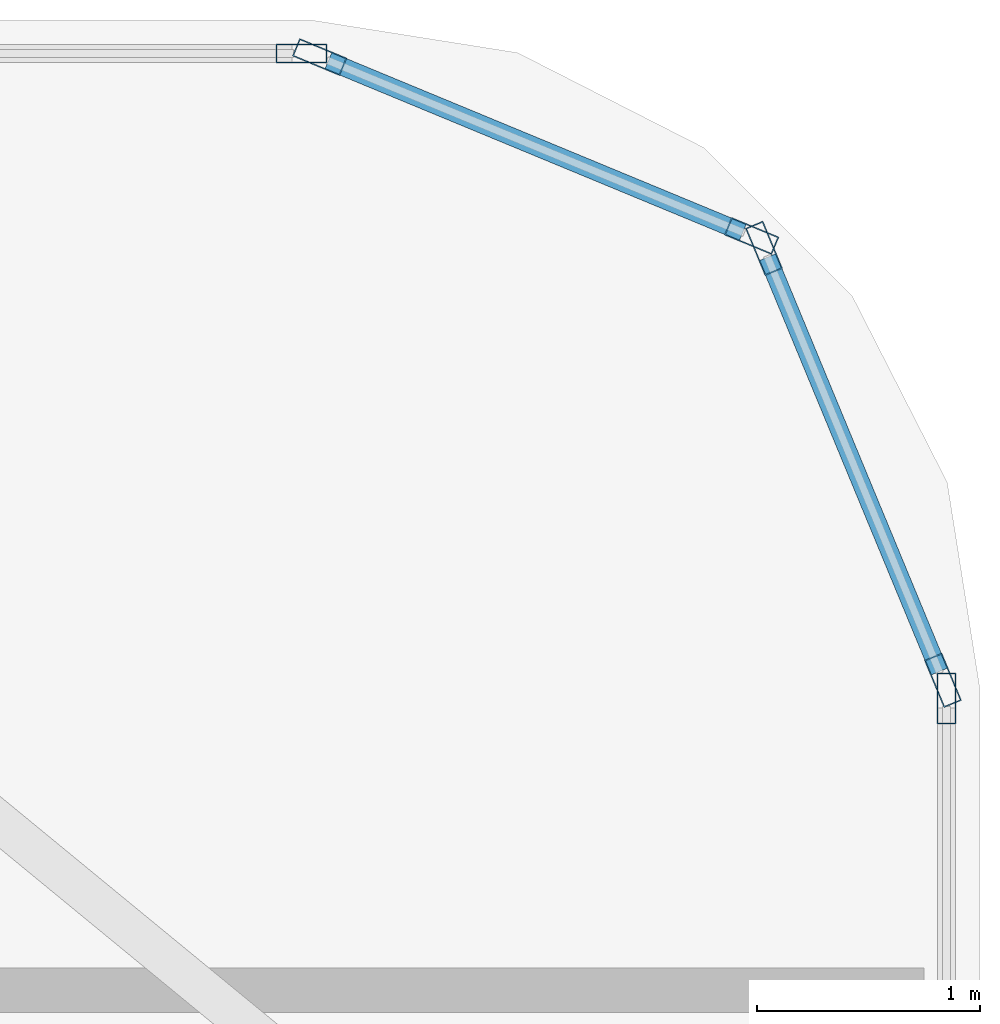
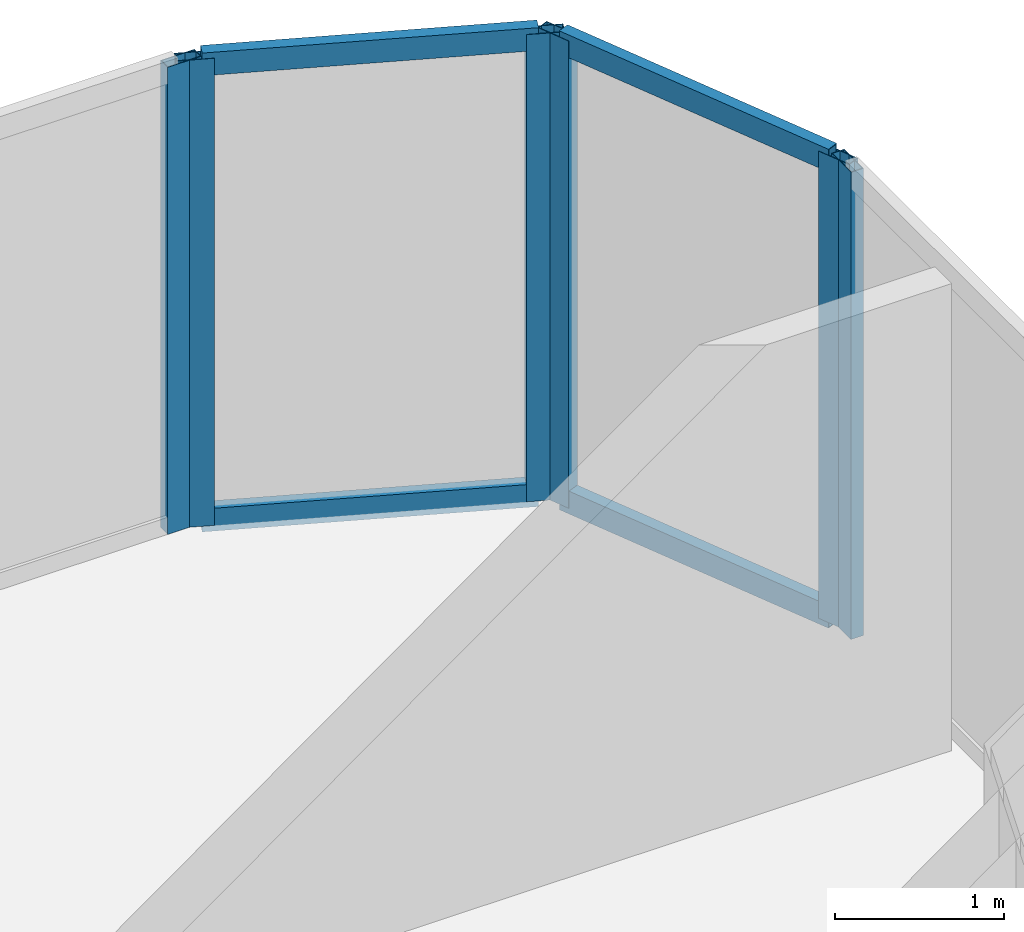
# One storey, part 8 of 11: 10 members, 4 elements without a shape of their own.
"""IFC4 building model written with IfcOpenShell, lengths in metres."""

from ifc_helpers import new_model, si_unit, direction, frame, origin, origin_2d, place, context, subcontext, project, spatial, hollow_rectangle, extrude, source, transform, mapped, material, layer, layer_set, material_profile, profile_set, type_object, element, aggregate, save


model = new_model("IFC4")

# Units and contexts
model_context = context("Model", 3, precision=1e-05, world=origin(), true_north=direction((0.0, 1.0)))
body_context = subcontext(model_context, "Body", "Model", "MODEL_VIEW")
ifc_project = project(units=[si_unit("LENGTHUNIT", "METRE"), si_unit("AREAUNIT", "SQUARE_METRE"), si_unit("VOLUMEUNIT", "CUBIC_METRE"), si_unit("PLANEANGLEUNIT", "RADIAN"), si_unit("MASSUNIT", "GRAM", prefix="KILO")], contexts=[model_context])

# Site, building, storey
site_placement = place(None, origin())
site = spatial("IfcSite", under=ifc_project, at=site_placement, CompositionType="ELEMENT")
building_placement = place(site_placement, origin())
building = spatial("IfcBuilding", under=site, at=building_placement, Name="Kolveth Station Tower", CompositionType="ELEMENT")
storey_placement = place(building_placement, frame((0.0, 0.0, 274.89990234375)))
storey = spatial("IfcBuildingStorey", under=building, at=storey_placement, Name="L79", CompositionType="ELEMENT", Elevation=274.89990234375)

# Curtain wall, members
ifc_material_1 = material(Name="Black anodized aluminium 6063-T6 and dark crown glass", Category="aluminium")
ifc_layer = layer(ifc_material_1, 0.169921875)
ifc_layer_set = layer_set([ifc_layer], Name="Black anodized aluminium 6063-T6 and dark crown glass")
curtain_wall_type = type_object("IfcCurtainWallType", Name="CurtainWall_CW-CR", PredefinedType="NOTDEFINED", material=ifc_layer_set)
curtain_wall_1_placement = place(storey_placement, origin())
curtain_wall_1 = element("IfcCurtainWall", 1, at=curtain_wall_1_placement, inside=storey, type_object=curtain_wall_type, Name="L79 Stepped Crown Curtain Wall 4", PredefinedType="NOTDEFINED")
ifc_material_2 = material(Name="Black anodized aluminium 6063-T6", Category="aluminium")
ifc_material_profile_1 = material_profile(ifc_material_2, hollow_rectangle(XDim=0.080078125, YDim=0.1650390625, WallThickness=0.0048828125, at=origin_2d()), Name="ALU-80x165x5")
ifc_profile_set_1 = profile_set([ifc_material_profile_1], Name="Black anodized aluminium 6063-T6")
member_type_1 = type_object("IfcMemberType", Name="Transom_TR-CR", PredefinedType="USERDEFINED", material=ifc_profile_set_1)
shared_shape_1 = source(origin(), body_context, "Body", "SweptSolid", [
    extrude(hollow_rectangle(XDim=0.080078125, YDim=0.1650390625, WallThickness=0.0048828125, at=origin_2d()), origin(), (0.0, 0.0, 1.0), 2.011474609375),
])
member_1_placement = place(storey_placement, frame((41.617431640625, 32.37841796875, 0.0400390625), z_axis=(-0.382580487431, 0.92392216698, 0.0), x_axis=(-0.92392216698, -0.382580487431, 0.0)))
member_1 = element("IfcMember", 2, at=member_1_placement, type_object=member_type_1, Name="CW-CR transom 1.1", ObjectType="TRANSOM", PredefinedType="USERDEFINED", context=body_context, shape_type="MappedRepresentation", body=[
    mapped(shared_shape_1, transform((0.0, 0.0, 0.0), x_axis=(1.0, 0.0, 0.0), y_axis=(0.0, 1.0, 0.0), z_axis=(0.0, 0.0, 1.0), scale=1.0)),
])
member_2_placement = place(storey_placement, frame((41.617431640625, 32.37841796875, 3.340087890625), z_axis=(-0.382580487431, 0.92392216698, 0.0), x_axis=(-0.92392216698, -0.382580487431, 0.0)))
member_2 = element("IfcMember", 3, at=member_2_placement, type_object=member_type_1, Name="CW-CR transom 1.2", ObjectType="TRANSOM", PredefinedType="USERDEFINED", context=body_context, shape_type="MappedRepresentation", body=[
    mapped(shared_shape_1, transform((0.0, 0.0, 0.0), x_axis=(1.0, 0.0, 0.0), y_axis=(0.0, 1.0, 0.0), z_axis=(0.0, 0.0, 1.0), scale=1.0)),
])

curtain_wall_2_placement = place(storey_placement, origin())
curtain_wall_2 = element("IfcCurtainWall", 4, at=curtain_wall_2_placement, inside=storey, type_object=curtain_wall_type, Name="L79 Stepped Crown Curtain Wall 5", PredefinedType="NOTDEFINED")
member_3_placement = place(storey_placement, frame((40.73681640625, 34.347900390625, 0.0400390625), z_axis=(-0.92392216698, 0.382580487431, 0.0), x_axis=(-0.382580487431, -0.92392216698, 0.0)))
member_3 = element("IfcMember", 5, at=member_3_placement, type_object=member_type_1, Name="CW-CR transom 1.1", ObjectType="TRANSOM", PredefinedType="USERDEFINED", context=body_context, shape_type="MappedRepresentation", body=[
    mapped(shared_shape_1, transform((0.0, 0.0, 0.0), x_axis=(1.0, 0.0, 0.0), y_axis=(0.0, 1.0, 0.0), z_axis=(0.0, 0.0, 1.0), scale=1.0)),
])
member_4_placement = place(storey_placement, frame((40.73681640625, 34.347900390625, 3.340087890625), z_axis=(-0.92392216698, 0.382580487431, 0.0), x_axis=(-0.382580487431, -0.92392216698, 0.0)))
member_4 = element("IfcMember", 6, at=member_4_placement, type_object=member_type_1, Name="CW-CR transom 1.2", ObjectType="TRANSOM", PredefinedType="USERDEFINED", context=body_context, shape_type="MappedRepresentation", body=[
    mapped(shared_shape_1, transform((0.0, 0.0, 0.0), x_axis=(1.0, 0.0, 0.0), y_axis=(0.0, 1.0, 0.0), z_axis=(0.0, 0.0, 1.0), scale=1.0)),
])

# Curtain wall, member
curtain_wall_3_placement = place(storey_placement, origin())
curtain_wall_3 = element("IfcCurtainWall", 7, at=curtain_wall_3_placement, inside=storey, type_object=curtain_wall_type, Name="L79 Stepped Crown Curtain Wall 3", PredefinedType="NOTDEFINED")
ifc_material_profile_2 = material_profile(ifc_material_2, hollow_rectangle(XDim=0.0849609375, YDim=0.22998046875, WallThickness=0.0048828125, at=origin_2d()), Name="ALU-85x230x5")
ifc_profile_set_2 = profile_set([ifc_material_profile_2], Name="Black anodized aluminium 6063-T6")
member_type_2 = type_object("IfcMemberType", Name="Mullion_ML-CR", PredefinedType="MULLION", material=ifc_profile_set_2)
shared_shape_2 = source(origin(), body_context, "Body", "SweptSolid", [
    extrude(hollow_rectangle(XDim=0.0849609375, YDim=0.22998046875, WallThickness=0.0048828125, at=origin_2d()), origin(), (0.0, 0.0, 1.0), 3.380126953125),
])
member_5_placement = place(storey_placement, frame((41.64990234375, 32.257568359375, 0.0), z_axis=(0.0, 0.0, 1.0), x_axis=(-1.0, 0.0, 0.0)))
member_5 = element("IfcMember", 8, at=member_5_placement, type_object=member_type_2, Name="CW-CR mullion 2", PredefinedType="MULLION", context=body_context, shape_type="MappedRepresentation", body=[
    mapped(shared_shape_2, transform((0.0, 0.0, 0.0), x_axis=(1.0, 0.0, 0.0), y_axis=(0.0, 1.0, 0.0), z_axis=(0.0, 0.0, 1.0), scale=1.0)),
])
aggregate(curtain_wall_3, [member_5])

# Member
member_6_placement = place(storey_placement, frame((41.6337890625, 32.33935546875, 0.0), z_axis=(0.0, 0.0, 1.0), x_axis=(-0.923890001426, -0.382658157192, 0.0)))
member_6 = element("IfcMember", 9, at=member_6_placement, type_object=member_type_2, Name="CW-CR mullion 1", PredefinedType="MULLION", context=body_context, shape_type="MappedRepresentation", body=[
    mapped(shared_shape_2, transform((0.0, 0.0, 0.0), x_axis=(1.0, 0.0, 0.0), y_axis=(0.0, 1.0, 0.0), z_axis=(0.0, 0.0, 1.0), scale=1.0)),
])

member_7_placement = place(storey_placement, frame((40.83154296875, 34.276123046875, 0.0), z_axis=(0.0, 0.0, 1.0), x_axis=(-0.923890001426, -0.382658157192, 0.0)))
member_7 = element("IfcMember", 10, at=member_7_placement, type_object=member_type_2, Name="CW-CR mullion 2", PredefinedType="MULLION", context=body_context, shape_type="MappedRepresentation", body=[
    mapped(shared_shape_2, transform((0.0, 0.0, 0.0), x_axis=(1.0, 0.0, 0.0), y_axis=(0.0, 1.0, 0.0), z_axis=(0.0, 0.0, 1.0), scale=1.0)),
])

aggregate(curtain_wall_1, [member_6, member_7, member_1, member_2])

member_8_placement = place(storey_placement, frame((40.776123046875, 34.33154296875, 0.0), z_axis=(0.0, 0.0, 1.0), x_axis=(-0.382658157192, -0.923890001426, 0.0)))
member_8 = element("IfcMember", 11, at=member_8_placement, type_object=member_type_2, Name="CW-CR mullion 1", PredefinedType="MULLION", context=body_context, shape_type="MappedRepresentation", body=[
    mapped(shared_shape_2, transform((0.0, 0.0, 0.0), x_axis=(1.0, 0.0, 0.0), y_axis=(0.0, 1.0, 0.0), z_axis=(0.0, 0.0, 1.0), scale=1.0)),
])

member_9_placement = place(storey_placement, frame((38.83935546875, 35.1337890625, 0.0), z_axis=(0.0, 0.0, 1.0), x_axis=(-0.382658157192, -0.923890001426, 0.0)))
member_9 = element("IfcMember", 12, at=member_9_placement, type_object=member_type_2, Name="CW-CR mullion 2", PredefinedType="MULLION", context=body_context, shape_type="MappedRepresentation", body=[
    mapped(shared_shape_2, transform((0.0, 0.0, 0.0), x_axis=(1.0, 0.0, 0.0), y_axis=(0.0, 1.0, 0.0), z_axis=(0.0, 0.0, 1.0), scale=1.0)),
])

aggregate(curtain_wall_2, [member_8, member_9, member_3, member_4])

# Curtain wall, member
curtain_wall_4_placement = place(storey_placement, origin())
curtain_wall_4 = element("IfcCurtainWall", 13, at=curtain_wall_4_placement, inside=storey, type_object=curtain_wall_type, Name="L79 Stepped Crown Curtain Wall 6", PredefinedType="NOTDEFINED")
member_10_placement = place(storey_placement, frame((38.757568359375, 35.14990234375, 0.0), z_axis=(0.0, 0.0, 1.0), x_axis=(0.0, -1.0, 0.0)))
member_10 = element("IfcMember", 14, at=member_10_placement, type_object=member_type_2, Name="CW-CR mullion 1", PredefinedType="MULLION", context=body_context, shape_type="MappedRepresentation", body=[
    mapped(shared_shape_2, transform((0.0, 0.0, 0.0), x_axis=(1.0, 0.0, 0.0), y_axis=(0.0, 1.0, 0.0), z_axis=(0.0, 0.0, 1.0), scale=1.0)),
])
aggregate(curtain_wall_4, [member_10])

save(model, "model.ifc")
